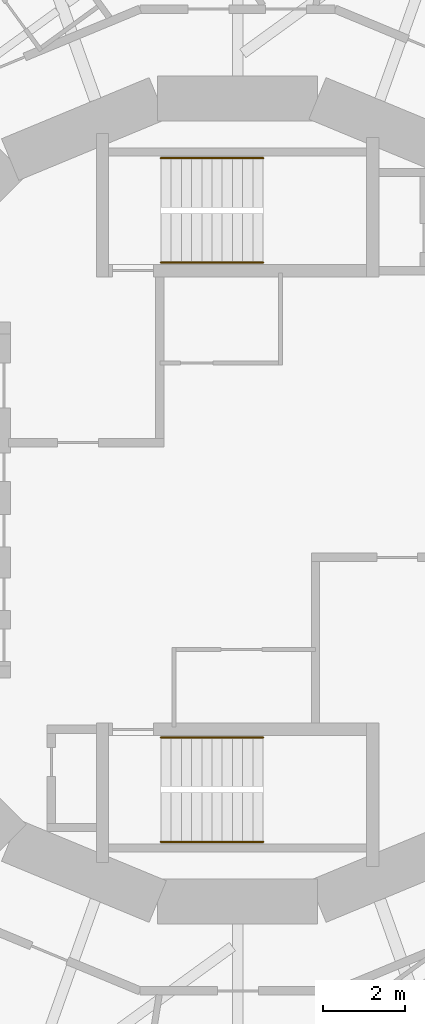
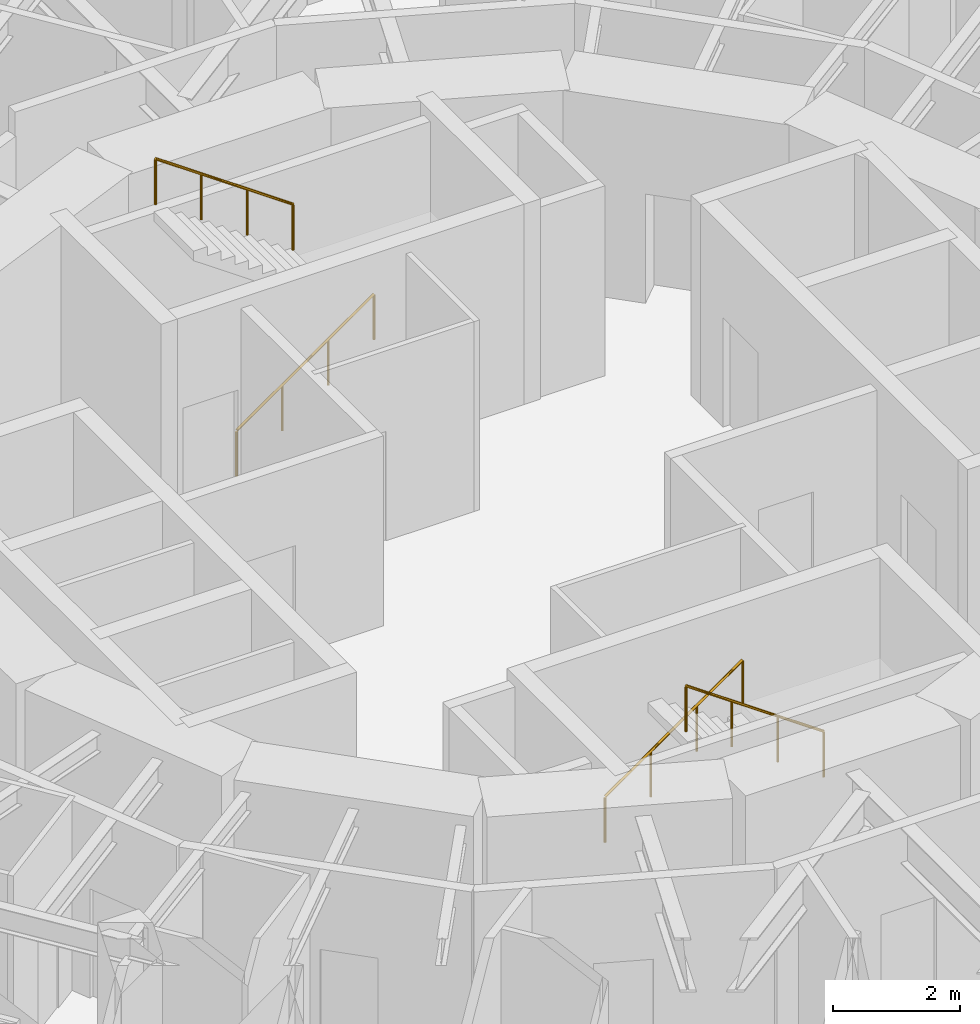
# One storey, part 9 of 9: 4 railings.
"""IFC4 building model written with IfcOpenShell, lengths in metres."""

from ifc_helpers import new_model, si_unit, direction, frame, origin, origin_2d, place, context, subcontext, project, spatial, circle, extrude, material, type_object, element, save


model = new_model("IFC4")

# Units and contexts
model_context = context("Model", 3, precision=1e-05, world=origin(), true_north=direction((0.0, 1.0)))
body_context = subcontext(model_context, "Body", "Model", "MODEL_VIEW")
ifc_project = project(units=[si_unit("LENGTHUNIT", "METRE"), si_unit("AREAUNIT", "SQUARE_METRE"), si_unit("VOLUMEUNIT", "CUBIC_METRE"), si_unit("PLANEANGLEUNIT", "RADIAN"), si_unit("MASSUNIT", "GRAM", prefix="KILO")], contexts=[model_context])

# Site, building, storey
site_placement = place(None, origin())
site = spatial("IfcSite", under=ifc_project, at=site_placement, CompositionType="ELEMENT")
building_placement = place(site_placement, origin())
building = spatial("IfcBuilding", under=site, at=building_placement, Name="Nakasero Lantern House", CompositionType="ELEMENT")
storey_placement = place(building_placement, frame((0.0, 0.0, 283.0)))
storey = spatial("IfcBuildingStorey", under=building, at=storey_placement, Name="L69", CompositionType="ELEMENT", Elevation=283.0)

# Railings
ifc_material = material(Name="Stainless steel 316", Category="steel")
railing_type = type_object("IfcRailingType", Name="Stair handrail 900", PredefinedType="HANDRAIL", material=ifc_material)
railing_1_placement = place(storey_placement, frame((-1.875, 5.800048828125, 0.175048828125)))
element("IfcRailing", 1, at=railing_1_placement, inside=storey, type_object=railing_type, Name="Handrail ST1 L69 flight 1", PredefinedType="HANDRAIL", context=body_context, shape_type="SweptSolid", body=[
    extrude(circle(Radius=0.02392578125, at=origin_2d()), frame((0.0, 0.0, 0.8759765625), z_axis=(0.819231920519, 0.0, 0.573462344363), x_axis=(0.0, 1.0, 0.0)), (0.0, 0.0, 1.0), 3.0517578125),
    extrude(circle(Radius=0.02099609375, at=origin_2d()), origin(), (0.0, 0.0, 1.0), 0.851806640625),
    extrude(circle(Radius=0.02099609375, at=origin_2d()), frame((0.833251953125, 0.0, 0.583251953125)), (0.0, 0.0, 1.0), 0.851806640625),
    extrude(circle(Radius=0.02099609375, at=origin_2d()), frame((1.666748046875, 0.0, 1.166748046875)), (0.0, 0.0, 1.0), 0.851806640625),
    extrude(circle(Radius=0.02099609375, at=origin_2d()), frame((2.5, 0.0, 1.75)), (0.0, 0.0, 1.0), 0.851806640625),
])
railing_2_placement = place(storey_placement, frame((0.625, 8.35009765625, 2.10009765625)))
element("IfcRailing", 2, at=railing_2_placement, inside=storey, type_object=railing_type, Name="Handrail ST1 L69 flight 2", PredefinedType="HANDRAIL", context=body_context, shape_type="SweptSolid", body=[
    extrude(circle(Radius=0.02392578125, at=origin_2d()), frame((0.0, 0.0, 0.8759765625), z_axis=(-0.819231920519, 0.0, 0.573462344363), x_axis=(0.0, -1.0, 0.0)), (0.0, 0.0, 1.0), 3.0517578125),
    extrude(circle(Radius=0.02099609375, at=origin_2d()), origin(), (0.0, 0.0, 1.0), 0.851806640625),
    extrude(circle(Radius=0.02099609375, at=origin_2d()), frame((-0.833251953125, 0.0, 0.583251953125)), (0.0, 0.0, 1.0), 0.851806640625),
    extrude(circle(Radius=0.02099609375, at=origin_2d()), frame((-1.666748046875, 0.0, 1.166748046875)), (0.0, 0.0, 1.0), 0.851806640625),
    extrude(circle(Radius=0.02099609375, at=origin_2d()), frame((-2.5, 0.0, 1.75)), (0.0, 0.0, 1.0), 0.851806640625),
])
railing_3_placement = place(storey_placement, frame((-1.875, -5.800048828125, 0.175048828125)))
element("IfcRailing", 3, at=railing_3_placement, inside=storey, type_object=railing_type, Name="Handrail ST2 L69 flight 1", PredefinedType="HANDRAIL", context=body_context, shape_type="SweptSolid", body=[
    extrude(circle(Radius=0.02392578125, at=origin_2d()), frame((0.0, 0.0, 0.8759765625), z_axis=(0.819231920519, 0.0, 0.573462344363), x_axis=(0.0, 1.0, 0.0)), (0.0, 0.0, 1.0), 3.0517578125),
    extrude(circle(Radius=0.02099609375, at=origin_2d()), origin(), (0.0, 0.0, 1.0), 0.851806640625),
    extrude(circle(Radius=0.02099609375, at=origin_2d()), frame((0.833251953125, 0.0, 0.583251953125)), (0.0, 0.0, 1.0), 0.851806640625),
    extrude(circle(Radius=0.02099609375, at=origin_2d()), frame((1.666748046875, 0.0, 1.166748046875)), (0.0, 0.0, 1.0), 0.851806640625),
    extrude(circle(Radius=0.02099609375, at=origin_2d()), frame((2.5, 0.0, 1.75)), (0.0, 0.0, 1.0), 0.851806640625),
])
railing_4_placement = place(storey_placement, frame((0.625, -8.35009765625, 2.10009765625)))
element("IfcRailing", 4, at=railing_4_placement, inside=storey, type_object=railing_type, Name="Handrail ST2 L69 flight 2", PredefinedType="HANDRAIL", context=body_context, shape_type="SweptSolid", body=[
    extrude(circle(Radius=0.02392578125, at=origin_2d()), frame((0.0, 0.0, 0.8759765625), z_axis=(-0.819231920519, 0.0, 0.573462344363), x_axis=(0.0, -1.0, 0.0)), (0.0, 0.0, 1.0), 3.0517578125),
    extrude(circle(Radius=0.02099609375, at=origin_2d()), origin(), (0.0, 0.0, 1.0), 0.851806640625),
    extrude(circle(Radius=0.02099609375, at=origin_2d()), frame((-0.833251953125, 0.0, 0.583251953125)), (0.0, 0.0, 1.0), 0.851806640625),
    extrude(circle(Radius=0.02099609375, at=origin_2d()), frame((-1.666748046875, 0.0, 1.166748046875)), (0.0, 0.0, 1.0), 0.851806640625),
    extrude(circle(Radius=0.02099609375, at=origin_2d()), frame((-2.5, 0.0, 1.75)), (0.0, 0.0, 1.0), 0.851806640625),
])

save(model, "model.ifc")
